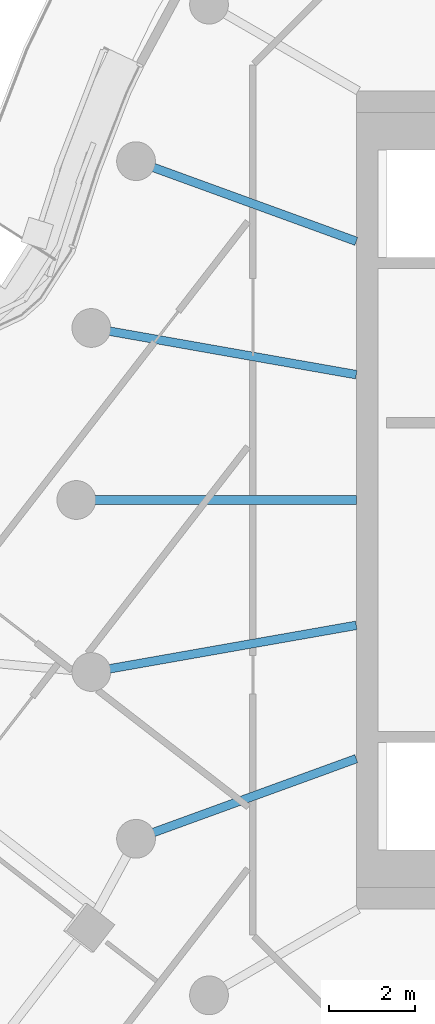
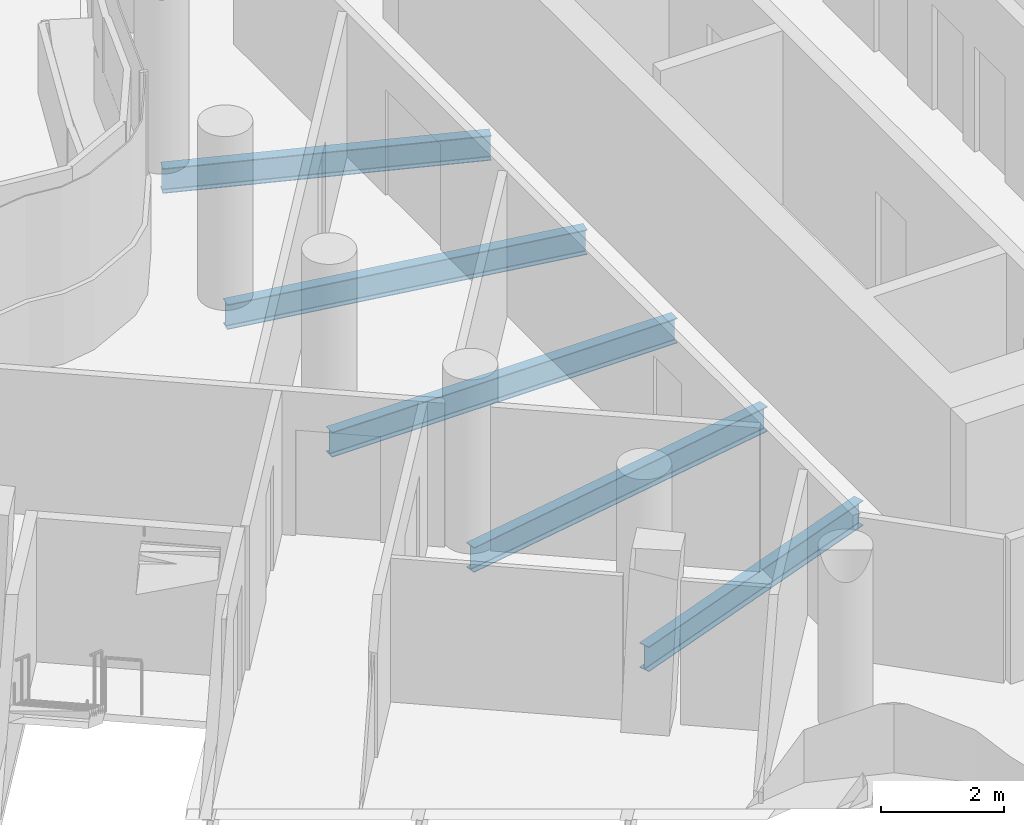
# One storey, part 5 of 26: 5 beams.
"""IFC4 building model written with IfcOpenShell, lengths in metres."""

from ifc_helpers import new_model, si_unit, direction, frame, origin, origin_2d, place, context, subcontext, project, spatial, i_section, extrude, material, material_profile, profile_set, type_object, element, save


model = new_model("IFC4")

# Units and contexts
model_context = context("Model", 3, precision=1e-05, world=origin(), true_north=direction((0.0, 1.0)))
body_context = subcontext(model_context, "Body", "Model", "MODEL_VIEW")
ifc_project = project(units=[si_unit("LENGTHUNIT", "METRE"), si_unit("AREAUNIT", "SQUARE_METRE"), si_unit("VOLUMEUNIT", "CUBIC_METRE"), si_unit("PLANEANGLEUNIT", "RADIAN"), si_unit("MASSUNIT", "GRAM", prefix="KILO")], contexts=[model_context])

# Site, building, storey
site_placement = place(None, origin())
site = spatial("IfcSite", under=ifc_project, at=site_placement, CompositionType="ELEMENT")
building_placement = place(site_placement, origin())
building = spatial("IfcBuilding", under=site, at=building_placement, Name="Tamarind Cross Interchange Tower", CompositionType="ELEMENT")
storey_placement = place(building_placement, frame((0.0, 0.0, 223.5)))
storey = spatial("IfcBuildingStorey", under=building, at=storey_placement, Name="L56", CompositionType="ELEMENT", Elevation=223.5)

# Beams
ifc_material = material(Name="Steel Q355B", Category="steel")
ifc_material_profile = material_profile(ifc_material, i_section(OverallWidth=0.198974609375, OverallDepth=0.49609375, WebThickness=0.009033203125, FlangeThickness=0.013916015625, FilletRadius=0.012939453125, at=origin_2d()), Name="HN 496x199x9x14")
ifc_profile_set = profile_set([ifc_material_profile], Name="Steel Q355B")
beam_type = type_object("IfcBeamType", Name="Composite beam HN 496x199x9x14 Q355B", PredefinedType="BEAM", material=ifc_profile_set)
beam_1_placement = place(storey_placement, frame((-21.613037109375, 7.866455078125, -0.387939453125), z_axis=(0.939701685589, -0.341995236956, 0.0), x_axis=(0.341995236956, 0.939701685589, 0.0)))
element("IfcBeam", 1, at=beam_1_placement, inside=storey, type_object=beam_type, Name="Beam HH16", PredefinedType="BEAM", context=body_context, shape_type="SweptSolid", body=[
    extrude(i_section(OverallWidth=0.198974609375, OverallDepth=0.49609375, WebThickness=0.009033203125, FlangeThickness=0.013916015625, FilletRadius=0.012939453125, at=origin_2d()), origin(), (0.0, 0.0, 1.0), 5.441162109375),
])
beam_2_placement = place(storey_placement, frame((-22.650634765625, 3.993896484375, -0.387939453125), z_axis=(0.984809127561, -0.173640382036, 0.0), x_axis=(0.173640382036, 0.984809127561, 0.0)))
element("IfcBeam", 2, at=beam_2_placement, inside=storey, type_object=beam_type, Name="Beam HH17", PredefinedType="BEAM", context=body_context, shape_type="SweptSolid", body=[
    extrude(i_section(OverallWidth=0.198974609375, OverallDepth=0.49609375, WebThickness=0.009033203125, FlangeThickness=0.013916015625, FilletRadius=0.012939453125, at=origin_2d()), origin(), (0.0, 0.0, 1.0), 6.24560546875),
])
beam_3_placement = place(storey_placement, frame((-23.0, 0.0, -0.387939453125), z_axis=(1.0, 0.0, 0.0), x_axis=(0.0, 1.0, 0.0)))
element("IfcBeam", 3, at=beam_3_placement, inside=storey, type_object=beam_type, Name="Beam HH18", PredefinedType="BEAM", context=body_context, shape_type="SweptSolid", body=[
    extrude(i_section(OverallWidth=0.198974609375, OverallDepth=0.49609375, WebThickness=0.009033203125, FlangeThickness=0.013916015625, FilletRadius=0.012939453125, at=origin_2d()), origin(), (0.0, 0.0, 1.0), 6.5),
])
beam_4_placement = place(storey_placement, frame((-22.650634765625, -3.993896484375, -0.387939453125), z_axis=(0.984809127561, 0.173640382036, 0.0), x_axis=(-0.173640382036, 0.984809127561, 0.0)))
element("IfcBeam", 4, at=beam_4_placement, inside=storey, type_object=beam_type, Name="Beam HH19", PredefinedType="BEAM", context=body_context, shape_type="SweptSolid", body=[
    extrude(i_section(OverallWidth=0.198974609375, OverallDepth=0.49609375, WebThickness=0.009033203125, FlangeThickness=0.013916015625, FilletRadius=0.012939453125, at=origin_2d()), origin(), (0.0, 0.0, 1.0), 6.24560546875),
])
beam_5_placement = place(storey_placement, frame((-21.613037109375, -7.866455078125, -0.387939453125), z_axis=(0.939701685589, 0.341995236956, 0.0), x_axis=(-0.341995236956, 0.939701685589, 0.0)))
element("IfcBeam", 5, at=beam_5_placement, inside=storey, type_object=beam_type, Name="Beam HH20", PredefinedType="BEAM", context=body_context, shape_type="SweptSolid", body=[
    extrude(i_section(OverallWidth=0.198974609375, OverallDepth=0.49609375, WebThickness=0.009033203125, FlangeThickness=0.013916015625, FilletRadius=0.012939453125, at=origin_2d()), origin(), (0.0, 0.0, 1.0), 5.441162109375),
])

save(model, "model.ifc")
